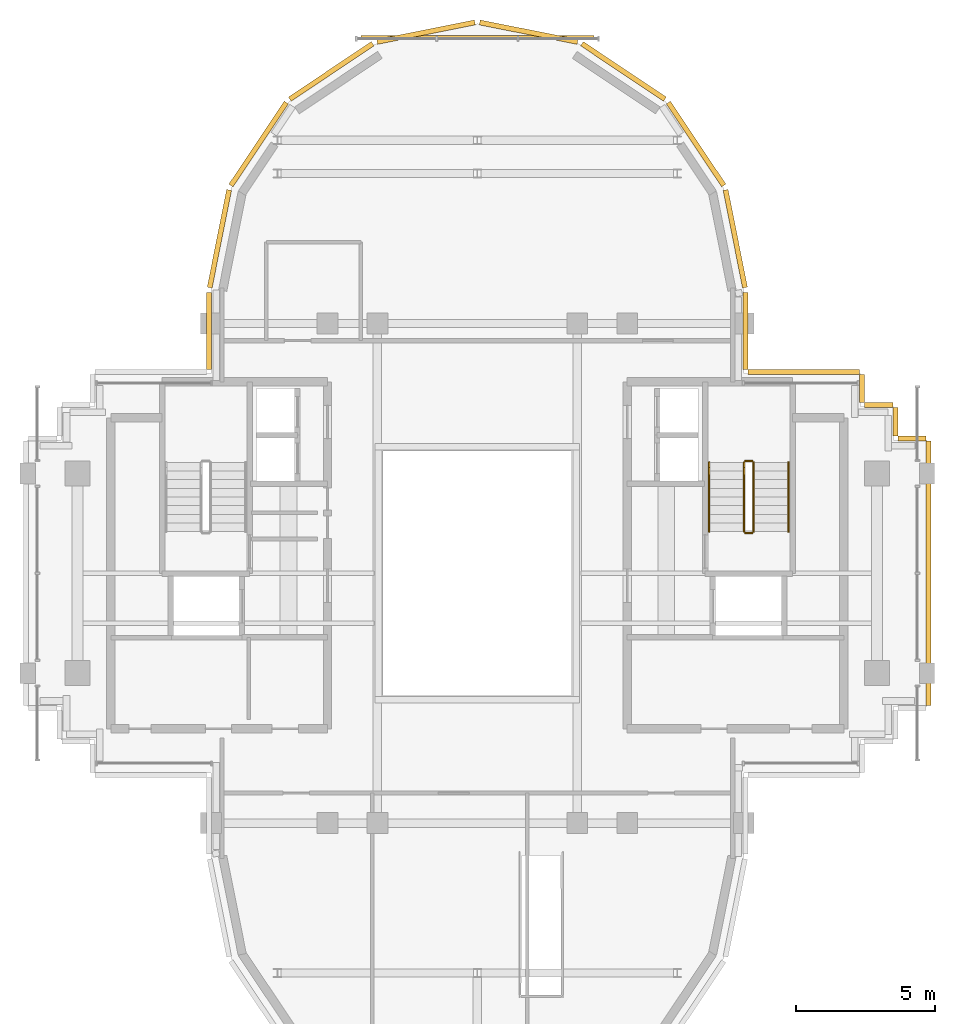
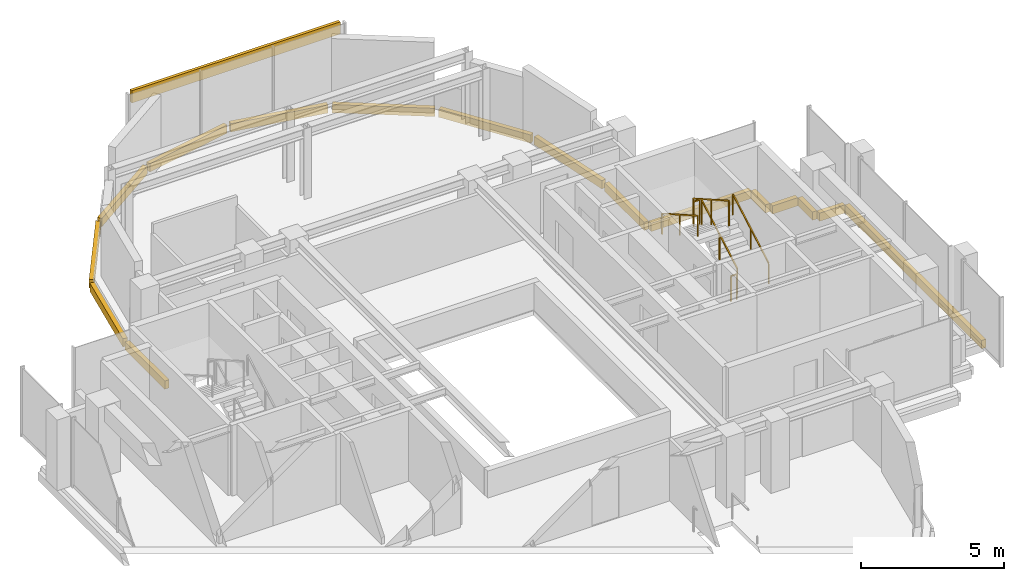
# One storey, part 11 of 11: 17 coverings, 6 railings.
"""IFC4 building model written with IfcOpenShell, lengths in metres."""

from ifc_helpers import new_model, si_unit, direction, frame, origin, origin_2d, place, context, subcontext, project, spatial, rectangle, extrude, source, transform, mapped, material, layer, layer_set, type_object, element, save


model = new_model("IFC4")

# Units and contexts
model_context = context("Model", 3, precision=1e-05, world=origin(), true_north=direction((0.0, 1.0)))
body_context = subcontext(model_context, "Body", "Model", "MODEL_VIEW")
ifc_project = project(units=[si_unit("LENGTHUNIT", "METRE"), si_unit("AREAUNIT", "SQUARE_METRE"), si_unit("VOLUMEUNIT", "CUBIC_METRE"), si_unit("PLANEANGLEUNIT", "RADIAN"), si_unit("MASSUNIT", "GRAM", prefix="KILO")], contexts=[model_context])

# Site, building, storey
site_placement = place(None, origin())
site = spatial("IfcSite", under=ifc_project, at=site_placement, CompositionType="ELEMENT")
building_placement = place(site_placement, origin())
building = spatial("IfcBuilding", under=site, at=building_placement, Name="Keilestroom Media Tower", CompositionType="ELEMENT")
storey_placement = place(building_placement, frame((0.0, 0.0, 255.60009765625)))
storey = spatial("IfcBuildingStorey", under=building, at=storey_placement, Name="L71", CompositionType="ELEMENT", Elevation=255.60009765625)

# Railings
ifc_material_1 = material(Name="Brushed Stainless Steel 1.4301", Category="steel")
railing_type_1 = type_object("IfcRailingType", Name="Stair-Pitch-Handrail-920", PredefinedType="HANDRAIL", material=ifc_material_1)
railing_1_placement = place(storey_placement, frame((11.2099609375, 1.5, 0.177734375)))
element("IfcRailing", 1, at=railing_1_placement, inside=storey, type_object=railing_type_1, Name="L71 ST-2 stair handrail 1", PredefinedType="HANDRAIL", context=body_context, shape_type="SweptSolid", body=[
    extrude(rectangle(XDim=0.048095703125, YDim=0.048095703125, at=origin_2d()), frame((0.0, 0.0, 0.8759765625), z_axis=(0.0, 0.868875238982, 0.495031129408), x_axis=(-1.0, 0.0, 0.0)), (0.0, 0.0, 1.0), 2.872802734375),
    extrude(rectangle(XDim=0.0419921875, YDim=0.0419921875, at=origin_2d()), origin(), (0.0, 0.0, 1.0), 0.84375),
    extrude(rectangle(XDim=0.0419921875, YDim=0.0419921875, at=origin_2d()), frame((0.0, 1.248046875, 0.7109375)), (0.0, 0.0, 1.0), 0.84375),
    extrude(rectangle(XDim=0.0419921875, YDim=0.0419921875, at=origin_2d()), frame((0.0, 2.49609375, 1.422119140625)), (0.0, 0.0, 1.0), 0.84375),
])
railing_2_placement = place(storey_placement, frame((8.35009765625, 3.99609375, 1.777587890625)))
element("IfcRailing", 2, at=railing_2_placement, inside=storey, type_object=railing_type_1, Name="L71 ST-2 stair handrail 2", PredefinedType="HANDRAIL", context=body_context, shape_type="SweptSolid", body=[
    extrude(rectangle(XDim=0.048095703125, YDim=0.048095703125, at=origin_2d()), frame((0.0, 0.0, 0.8759765625), z_axis=(0.0, -0.868838684858, 0.495095283449), x_axis=(1.0, 0.0, 0.0)), (0.0, 0.0, 1.0), 2.872802734375),
    extrude(rectangle(XDim=0.0419921875, YDim=0.0419921875, at=origin_2d()), origin(), (0.0, 0.0, 1.0), 0.84375),
    extrude(rectangle(XDim=0.0419921875, YDim=0.0419921875, at=origin_2d()), frame((0.0, -1.248046875, 0.711181640625)), (0.0, 0.0, 1.0), 0.84375),
    extrude(rectangle(XDim=0.0419921875, YDim=0.0419921875, at=origin_2d()), frame((0.0, -2.49609375, 1.42236328125)), (0.0, 0.0, 1.0), 0.84375),
])
ifc_material_2 = material(Name="Painted Steel Balustrade", Category="steel")
railing_type_2 = type_object("IfcRailingType", Name="Stair-Well-And-Landing-Guard-1100", PredefinedType="GUARDRAIL", material=ifc_material_2)
railing_3_placement = place(storey_placement, frame((9.949951171875, 1.5, 0.177734375)))
element("IfcRailing", 3, at=railing_3_placement, inside=storey, type_object=railing_type_2, Name="L71 ST-2 stair guard 1", PredefinedType="GUARDRAIL", context=body_context, shape_type="SweptSolid", body=[
    extrude(rectangle(XDim=0.048095703125, YDim=0.048095703125, at=origin_2d()), frame((0.0, 0.0, 1.076171875), z_axis=(0.0, 0.868875238982, 0.495031129408), x_axis=(-1.0, 0.0, 0.0)), (0.0, 0.0, 1.0), 2.872802734375),
    extrude(rectangle(XDim=0.0419921875, YDim=0.0419921875, at=origin_2d()), origin(), (0.0, 0.0, 1.0), 1.0439453125),
    extrude(rectangle(XDim=0.0419921875, YDim=0.0419921875, at=origin_2d()), frame((0.0, 1.248046875, 0.7109375)), (0.0, 0.0, 1.0), 1.0439453125),
    extrude(rectangle(XDim=0.0419921875, YDim=0.0419921875, at=origin_2d()), frame((0.0, 2.49609375, 1.422119140625)), (0.0, 0.0, 1.0), 1.0439453125),
])
railing_4_placement = place(storey_placement, frame((9.89990234375, 4.0458984375, 1.599853515625)))
element("IfcRailing", 4, at=railing_4_placement, inside=storey, type_object=railing_type_2, Name="L71 ST-2 stair guard 2", PredefinedType="GUARDRAIL", context=body_context, shape_type="SweptSolid", body=[
    extrude(rectangle(XDim=0.048095703125, YDim=0.048095703125, at=origin_2d()), frame((0.0, 0.0, 1.076171875), z_axis=(-1.0, 0.0, 0.0), x_axis=(0.0, -1.0, 0.0)), (0.0, 0.0, 1.0), 0.239990234375),
    extrude(rectangle(XDim=0.0419921875, YDim=0.0419921875, at=origin_2d()), origin(), (0.0, 0.0, 1.0), 1.0439453125),
    extrude(rectangle(XDim=0.0419921875, YDim=0.0419921875, at=origin_2d()), frame((-0.239990234375, 0.0, 0.0)), (0.0, 0.0, 1.0), 1.0439453125),
])
railing_5_placement = place(storey_placement, frame((9.610107421875, 3.99609375, 1.777587890625)))
element("IfcRailing", 5, at=railing_5_placement, inside=storey, type_object=railing_type_2, Name="L71 ST-2 stair guard 3", PredefinedType="GUARDRAIL", context=body_context, shape_type="SweptSolid", body=[
    extrude(rectangle(XDim=0.048095703125, YDim=0.048095703125, at=origin_2d()), frame((0.0, 0.0, 1.076171875), z_axis=(0.0, -0.868838684858, 0.495095283449), x_axis=(1.0, 0.0, 0.0)), (0.0, 0.0, 1.0), 2.872802734375),
    extrude(rectangle(XDim=0.0419921875, YDim=0.0419921875, at=origin_2d()), origin(), (0.0, 0.0, 1.0), 1.0439453125),
    extrude(rectangle(XDim=0.0419921875, YDim=0.0419921875, at=origin_2d()), frame((0.0, -1.248046875, 0.711181640625)), (0.0, 0.0, 1.0), 1.0439453125),
    extrude(rectangle(XDim=0.0419921875, YDim=0.0419921875, at=origin_2d()), frame((0.0, -2.49609375, 1.42236328125)), (0.0, 0.0, 1.0), 1.0439453125),
])
railing_6_placement = place(storey_placement, frame((9.89990234375, 1.449951171875, 0.0)))
element("IfcRailing", 6, at=railing_6_placement, inside=storey, type_object=railing_type_2, Name="L71 ST-2 stair guard 4", PredefinedType="GUARDRAIL", context=body_context, shape_type="SweptSolid", body=[
    extrude(rectangle(XDim=0.048095703125, YDim=0.048095703125, at=origin_2d()), frame((0.0, 0.0, 1.076171875), z_axis=(-1.0, 0.0, 0.0), x_axis=(0.0, -1.0, 0.0)), (0.0, 0.0, 1.0), 0.239990234375),
    extrude(rectangle(XDim=0.0419921875, YDim=0.0419921875, at=origin_2d()), origin(), (0.0, 0.0, 1.0), 1.0439453125),
    extrude(rectangle(XDim=0.0419921875, YDim=0.0419921875, at=origin_2d()), frame((-0.239990234375, 0.0, 0.0)), (0.0, 0.0, 1.0), 1.0439453125),
])

# Coverings
ifc_material_3 = material(Name="Precast concrete C40/50", Category="concrete")
ifc_layer = layer(ifc_material_3, 0.1201171875)
ifc_layer_set = layer_set([ifc_layer], Name="Precast concrete C40/50")
covering_type = type_object("IfcCoveringType", Name="Exterior-Precast-Spandrel-Cladding-Panel-120", PredefinedType="CLADDING", material=ifc_layer_set)
shared_shape_1 = source(origin(), body_context, "Body", "SweptSolid", [
    extrude(rectangle(XDim=8.39990234375, YDim=0.1201171875, at=origin_2d()), origin(), (0.0, 0.0, 1.0), 0.52001953125),
])
covering_1_placement = place(storey_placement, frame((0.0, 19.320068359375, 2.5), z_axis=(0.0, 0.0, 1.0), x_axis=(1.0, 0.0, 0.0)))
element("IfcCovering", 7, at=covering_1_placement, inside=storey, type_object=covering_type, Name="L71 Precast Spandrel Cladding N", PredefinedType="CLADDING", context=body_context, shape_type="MappedRepresentation", body=[
    mapped(shared_shape_1, transform((0.0, 0.0, 0.0), x_axis=(1.0, 0.0, 0.0), y_axis=(0.0, 1.0, 0.0), z_axis=(0.0, 0.0, 1.0), scale=1.0)),
])
shared_shape_2 = source(origin(), body_context, "Body", "SweptSolid", [
    extrude(rectangle(XDim=1.02001953125, YDim=0.179931640625, at=origin_2d()), origin(), (0.0, 0.0, 1.0), 0.35009765625),
])
for number, where, z_axis, x_axis, name in (
    (8, (13.860107421875, 6.659912109375, -0.530029296875), (0.0, 0.0, 1.0), (0.0, -1.0, 0.0), "L71 Precast Slab-Edge Fascia Cornice 38"),
    (9, (14.4599609375, 6.06005859375, -0.530029296875), (0.0, 0.0, 1.0), (1.0, 0.0, 0.0), "L71 Precast Slab-Edge Fascia Cornice 39"),
    (10, (15.06005859375, 5.4599609375, -0.530029296875), (0.0, 0.0, 1.0), (0.0, -1.0, 0.0), "L71 Precast Slab-Edge Fascia Cornice 40"),
    (11, (15.659912109375, 4.860107421875, -0.530029296875), (0.0, 0.0, 1.0), (1.0, 0.0, 0.0), "L71 Precast Slab-Edge Fascia Cornice 41"),
):
    element("IfcCovering", number, at=place(storey_placement, frame(where, z_axis=z_axis, x_axis=x_axis)), inside=storey, type_object=covering_type, Name=name, PredefinedType="CLADDING", context=body_context, shape_type="MappedRepresentation", body=[
        mapped(shared_shape_2, transform((0.0, 0.0, 0.0), x_axis=(1.0, 0.0, 0.0), y_axis=(0.0, 1.0, 0.0), z_axis=(0.0, 0.0, 1.0), scale=1.0)),
    ])
shared_shape_3 = source(origin(), body_context, "Body", "SweptSolid", [
    extrude(rectangle(XDim=2.765869140625, YDim=0.179931640625, at=origin_2d()), origin(), (0.0, 0.0, 1.0), 0.35009765625),
])
for number, where, z_axis, x_axis, name in (
    (12, (-9.659912109375, 8.73291015625, -0.530029296875), (0.0, 0.0, 1.0), (0.0, 1.0, 0.0), "L71 Precast Slab-Edge Fascia Cornice 27"),
    (13, (9.659912109375, 8.73291015625, -0.530029296875), (0.0, 0.0, 1.0), (0.0, -1.0, 0.0), "L71 Precast Slab-Edge Fascia Cornice 36"),
):
    element("IfcCovering", number, at=place(storey_placement, frame(where, z_axis=z_axis, x_axis=x_axis)), inside=storey, type_object=covering_type, Name=name, PredefinedType="CLADDING", context=body_context, shape_type="MappedRepresentation", body=[
        mapped(shared_shape_3, transform((0.0, 0.0, 0.0), x_axis=(1.0, 0.0, 0.0), y_axis=(0.0, 1.0, 0.0), z_axis=(0.0, 0.0, 1.0), scale=1.0)),
    ])
shared_shape_4 = source(origin(), body_context, "Body", "SweptSolid", [
    extrude(rectangle(XDim=3.58349609375, YDim=0.179931640625, at=origin_2d()), origin(), (0.0, 0.0, 1.0), 0.35009765625),
])
for number, where, z_axis, x_axis, name in (
    (14, (-9.29296875, 12.051513671875, -0.530029296875), (0.0, 0.0, 1.0), (0.195098880975, 0.980783577882, 0.0), "L71 Precast Slab-Edge Fascia Cornice 28"),
    (15, (9.29296875, 12.051513671875, -0.530029296875), (0.0, 0.0, 1.0), (0.195098880975, -0.980783577882, 0.0), "L71 Precast Slab-Edge Fascia Cornice 35"),
):
    element("IfcCovering", number, at=place(storey_placement, frame(where, z_axis=z_axis, x_axis=x_axis)), inside=storey, type_object=covering_type, Name=name, PredefinedType="CLADDING", context=body_context, shape_type="MappedRepresentation", body=[
        mapped(shared_shape_4, transform((0.0, 0.0, 0.0), x_axis=(1.0, 0.0, 0.0), y_axis=(0.0, 1.0, 0.0), z_axis=(0.0, 0.0, 1.0), scale=1.0)),
    ])
shared_shape_5 = source(origin(), body_context, "Body", "SweptSolid", [
    extrude(rectangle(XDim=3.589599609375, YDim=0.179931640625, at=origin_2d()), origin(), (0.0, 0.0, 1.0), 0.35009765625),
])
for number, where, z_axis, x_axis, name in (
    (16, (-7.878662109375, 15.46435546875, -0.530029296875), (0.0, 0.0, 1.0), (0.555574586577, 0.831466703332, 0.0), "L71 Precast Slab-Edge Fascia Cornice 29"),
    (17, (-5.264404296875, 18.07861328125, -0.530029296875), (0.0, 0.0, 1.0), (0.831466703332, 0.555574586577, 0.0), "L71 Precast Slab-Edge Fascia Cornice 30"),
    (18, (-1.8486328125, 19.493408203125, -0.530029296875), (0.0, 0.0, 1.0), (0.980783577882, 0.195098880975, 0.0), "L71 Precast Slab-Edge Fascia Cornice 31"),
    (19, (1.8486328125, 19.493408203125, -0.530029296875), (0.0, 0.0, 1.0), (0.980783577882, -0.195098880975, 0.0), "L71 Precast Slab-Edge Fascia Cornice 32"),
    (20, (5.264404296875, 18.07861328125, -0.530029296875), (0.0, 0.0, 1.0), (0.831466703332, -0.555574586577, 0.0), "L71 Precast Slab-Edge Fascia Cornice 33"),
    (21, (7.878662109375, 15.46435546875, -0.530029296875), (0.0, 0.0, 1.0), (0.555574586577, -0.831466703332, 0.0), "L71 Precast Slab-Edge Fascia Cornice 34"),
):
    element("IfcCovering", number, at=place(storey_placement, frame(where, z_axis=z_axis, x_axis=x_axis)), inside=storey, type_object=covering_type, Name=name, PredefinedType="CLADDING", context=body_context, shape_type="MappedRepresentation", body=[
        mapped(shared_shape_5, transform((0.0, 0.0, 0.0), x_axis=(1.0, 0.0, 0.0), y_axis=(0.0, 1.0, 0.0), z_axis=(0.0, 0.0, 1.0), scale=1.0)),
    ])
shared_shape_6 = source(origin(), body_context, "Body", "SweptSolid", [
    extrude(rectangle(XDim=9.5400390625, YDim=0.179931640625, at=origin_2d()), origin(), (0.0, 0.0, 1.0), 0.35009765625),
])
covering_2_placement = place(storey_placement, frame((16.260009765625, 0.0, -0.530029296875), z_axis=(0.0, 0.0, 1.0), x_axis=(0.0, -1.0, 0.0)))
element("IfcCovering", 22, at=covering_2_placement, inside=storey, type_object=covering_type, Name="L71 Precast Slab-Edge Fascia Cornice 42", PredefinedType="CLADDING", context=body_context, shape_type="MappedRepresentation", body=[
    mapped(shared_shape_6, transform((0.0, 0.0, 0.0), x_axis=(1.0, 0.0, 0.0), y_axis=(0.0, 1.0, 0.0), z_axis=(0.0, 0.0, 1.0), scale=1.0)),
])
shared_shape_7 = source(origin(), body_context, "Body", "SweptSolid", [
    extrude(rectangle(XDim=4.02001953125, YDim=0.179931640625, at=origin_2d()), origin(), (0.0, 0.0, 1.0), 0.35009765625),
])
covering_3_placement = place(storey_placement, frame((11.760009765625, 7.260009765625, -0.530029296875), z_axis=(0.0, 0.0, 1.0), x_axis=(1.0, 0.0, 0.0)))
element("IfcCovering", 23, at=covering_3_placement, inside=storey, type_object=covering_type, Name="L71 Precast Slab-Edge Fascia Cornice 37", PredefinedType="CLADDING", context=body_context, shape_type="MappedRepresentation", body=[
    mapped(shared_shape_7, transform((0.0, 0.0, 0.0), x_axis=(1.0, 0.0, 0.0), y_axis=(0.0, 1.0, 0.0), z_axis=(0.0, 0.0, 1.0), scale=1.0)),
])

save(model, "model.ifc")
